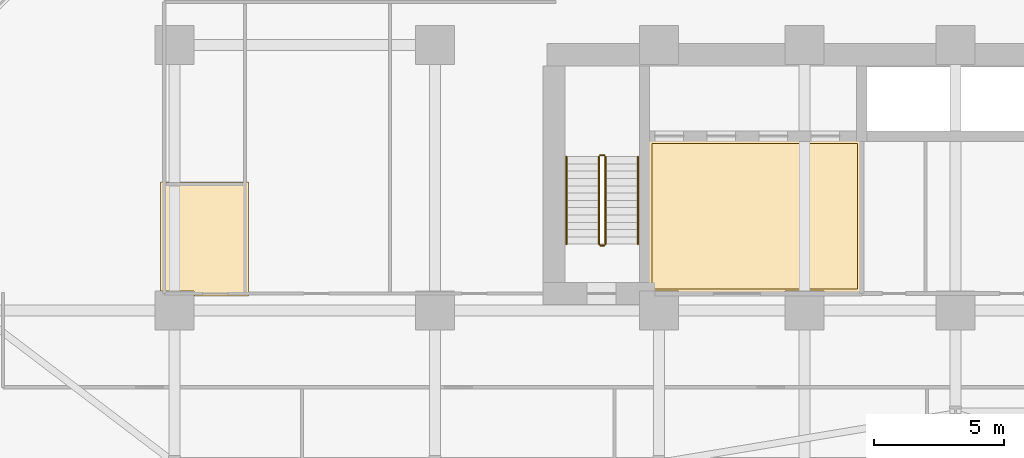
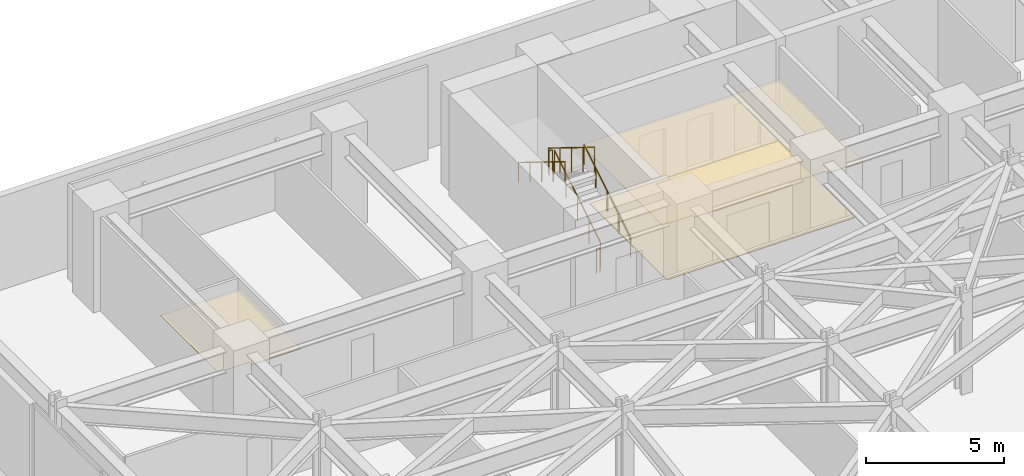
# One storey, part 29 of 30: 6 railings, 3 coverings.
"""IFC4 building model written with IfcOpenShell, lengths in metres."""

import ifcopenshell
import ifcopenshell.guid

model = None  # the IFC model being written
_history = None  # IfcOwnerHistory: only IFC2X3 demands one
_inside = {}  # id of a spatial element -> (the spatial element, [elements in it])
_under = {}  # id of a project, library or spatial element -> (it, [spatial elements below it])
_declared = {}  # id of a project -> (the project, [libraries it declares])
_typed = {}  # id of a type object -> (the type object, [elements of that type])
_made_of = {}  # id of a material, layer set ... -> (it, [elements and type objects made of it])


def new_model(schema):
    """Start an empty IFC model of exactly this schema.

    Asked for "IFC4X3", IfcOpenShell would pick the latest addendum, in which some entities
    have other attributes; the version numbers below select the first issue.
    IFC2X3 requires an IfcOwnerHistory on every rooted entity: one is made here for all.
    """
    global model, _history
    if schema == "IFC4X3":
        model = ifcopenshell.file(schema_version=(4, 3, 0, 0))
    else:
        model = ifcopenshell.file(schema=schema)
    _inside.clear()
    _under.clear()
    _declared.clear()
    _typed.clear()
    _made_of.clear()
    _history = None
    if model.schema == "IFC2X3":
        org = make("IfcOrganization", Name="unknown")
        user = make(
            "IfcPersonAndOrganization",
            ThePerson=make("IfcPerson", FamilyName="unknown"),
            TheOrganization=org,
        )
        app = make(
            "IfcApplication",
            ApplicationDeveloper=org,
            Version="unknown",
            ApplicationFullName="unknown",
            ApplicationIdentifier="unknown",
        )
        _history = make(
            "IfcOwnerHistory",
            OwningUser=user,
            OwningApplication=app,
            ChangeAction="ADDED",
            CreationDate=0,
        )
    return model


def make(cls, **values):
    """One entity of the class cls with the attributes given. An attribute that is None is left unset."""
    return model.create_entity(
        cls, **{name: value for name, value in values.items() if value is not None}
    )


def rooted(cls, **values):
    """An entity with a GlobalId (a new one), such as an element, a storey or a relation."""
    return make(cls, GlobalId=ifcopenshell.guid.new(), OwnerHistory=_history, **values)


def si_unit(unit_type, name, prefix=None):
    """IfcSIUnit, for example si_unit("LENGTHUNIT", "METRE", prefix="MILLI")."""
    return make("IfcSIUnit", UnitType=unit_type, Prefix=prefix, Name=name)


def assignment(units):
    """IfcUnitAssignment: the units of a project."""
    return None if units is None else make("IfcUnitAssignment", Units=units)


def point(xyz):
    """IfcCartesianPoint."""
    return None if xyz is None else make("IfcCartesianPoint", Coordinates=xyz)


def direction(xyz):
    """IfcDirection."""
    return None if xyz is None else make("IfcDirection", DirectionRatios=xyz)


def frame(location, z_axis=None, x_axis=None):
    """IfcAxis2Placement3D, a coordinate frame: its origin and axes. An axis left out is left unset."""
    return make(
        "IfcAxis2Placement3D",
        Location=point(location),
        Axis=direction(z_axis),
        RefDirection=direction(x_axis),
    )


def frame_2d(location, x_axis=None):
    """IfcAxis2Placement2D, a coordinate frame in the plane: its origin and x axis."""
    return make(
        "IfcAxis2Placement2D", Location=point(location), RefDirection=direction(x_axis)
    )


def origin():
    """The frame at (0, 0, 0) with its axes left unset."""
    return frame((0.0, 0.0, 0.0))


def origin_2d():
    """The frame at (0, 0) in the plane with its x axis left unset."""
    return frame_2d((0.0, 0.0))


def place(relative_to, where):
    """IfcLocalPlacement: puts the frame where relative to a parent placement (None: the world)."""
    return make(
        "IfcLocalPlacement", PlacementRelTo=relative_to, RelativePlacement=where
    )


def context(
    kind, dimensions, precision=None, world=None, true_north=None, identifier=None
):
    """IfcGeometricRepresentationContext, for example the 3D "Model" context."""
    return make(
        "IfcGeometricRepresentationContext",
        ContextIdentifier=identifier,
        ContextType=kind,
        CoordinateSpaceDimension=dimensions,
        Precision=precision,
        WorldCoordinateSystem=world,
        TrueNorth=true_north,
    )


def subcontext(parent, identifier, kind, view, scale=None):
    """IfcGeometricRepresentationSubContext, for example "Body" below "Model"."""
    return make(
        "IfcGeometricRepresentationSubContext",
        ContextIdentifier=identifier,
        ContextType=kind,
        ParentContext=parent,
        TargetScale=scale,
        TargetView=view,
    )


def project(units=None, contexts=None):
    """IfcProject with its units and contexts."""
    return rooted(
        "IfcProject",
        Name="project",
        RepresentationContexts=contexts,
        UnitsInContext=assignment(units),
    )


def spatial(cls, under=None, at=None, **own):
    """A site, building, storey or space (cls), placed at a placement, below another one or the project."""
    s = rooted(cls, ObjectPlacement=at, **own)
    if under is not None:
        _under.setdefault(under.id(), (under, []))[1].append(s)
    return s


def polyline(points):
    """IfcPolyline through the points."""
    return make("IfcPolyline", Points=[point(p) for p in points])


def profile(cls, at=None, kind="AREA", **sizes):
    """A parametric profile (cls). Its sizes go by their IFC names, for example OverallWidth=200.0."""
    return make(cls, ProfileType=kind, Position=at, **sizes)


def circle(**sizes):
    """IfcCircleProfileDef."""
    return profile("IfcCircleProfileDef", **sizes)


def outline(outer, holes=None, kind="AREA"):
    """IfcArbitraryClosedProfileDef: a profile drawn as a closed curve; with holes, ...WithVoids."""
    if holes is None:
        return make("IfcArbitraryClosedProfileDef", ProfileType=kind, OuterCurve=outer)
    return make(
        "IfcArbitraryProfileDefWithVoids",
        ProfileType=kind,
        OuterCurve=outer,
        InnerCurves=holes,
    )


def extrude(swept, where, along, depth):
    """IfcExtrudedAreaSolid: the profile swept, set in the frame where, extruded along a direction by depth."""
    return make(
        "IfcExtrudedAreaSolid",
        SweptArea=swept,
        Position=where,
        ExtrudedDirection=direction(along),
        Depth=depth,
    )


def shape(context_of_items, identifier, shape_type, items):
    """IfcShapeRepresentation: the items that make up one representation, for example the "Body"."""
    return make(
        "IfcShapeRepresentation",
        ContextOfItems=context_of_items,
        RepresentationIdentifier=identifier,
        RepresentationType=shape_type,
        Items=items,
    )


def material(Name=None, Category=None):
    """IfcMaterial."""
    return make("IfcMaterial", Name=Name, Category=Category)


def layer(
    of_material, thickness, ventilated=None, Name=None, Category=None, Priority=None
):
    """IfcMaterialLayer: one layer of a wall or slab, of a material (None: an air gap)."""
    return make(
        "IfcMaterialLayer",
        Material=of_material,
        LayerThickness=thickness,
        IsVentilated=ventilated,
        Name=Name,
        Category=Category,
        Priority=Priority,
    )


def layer_set(layers, Name=None):
    """IfcMaterialLayerSet."""
    return make("IfcMaterialLayerSet", MaterialLayers=layers, LayerSetName=Name)


def made_of(thing, what):
    """Note that an element or type object is made of a material, layer set ...; save() writes the relation."""
    if what is not None:
        _made_of.setdefault(what.id(), (what, []))[1].append(thing)
    return thing


def type_object(cls, material=None, **own):
    """A type object (cls), such as IfcWallType, which elements share."""
    return made_of(rooted(cls, **own), material)


def element(
    cls,
    number,
    at=None,
    inside=None,
    cuts=None,
    type_object=None,
    material=None,
    context=None,
    identifier="Body",
    shape_type=None,
    held_by="IfcProductDefinitionShape",
    body=None,
    shapes=None,
    **own,
):
    """One element of the class cls, such as IfcWall. Its Tag is "e" and its number.

    at: its placement. inside: the storey or other place that contains it. cuts: it is an
    opening in that element (IfcRelVoidsElement). A single representation is given by context,
    identifier, shape_type and body (its items); several are given by shapes. held_by: the class
    of the entity that holds the representations. save() writes the other relations.
    """
    e = rooted(cls, Tag="e%d" % number, ObjectPlacement=at, **own)
    if body is not None:
        shapes = [shape(context, identifier, shape_type, body)]
    if shapes is not None:
        e.Representation = make(held_by, Representations=shapes)
    if inside is not None:
        _inside.setdefault(inside.id(), (inside, []))[1].append(e)
    if cuts is not None:
        rooted(
            "IfcRelVoidsElement", RelatingBuildingElement=cuts, RelatedOpeningElement=e
        )
    if type_object is not None:
        _typed.setdefault(type_object.id(), (type_object, []))[1].append(e)
    return made_of(e, material)


def aggregate(whole, parts):
    """IfcRelAggregates: a whole, such as a stair, and the parts it consists of."""
    return rooted("IfcRelAggregates", RelatingObject=whole, RelatedObjects=parts)


def save(model, path):
    """Write the relations noted so far, then the file.

    IfcRelAggregates (storeys below a building ...), IfcRelContainedInSpatialStructure (elements
    in a storey), IfcRelDefinesByType, IfcRelAssociatesMaterial and IfcRelDeclares: one each for
    every whole, place, type object, material and project.
    """
    for whole, parts in _under.values():
        aggregate(whole, parts)
    for where, things in _inside.values():
        rooted(
            "IfcRelContainedInSpatialStructure",
            RelatedElements=things,
            RelatingStructure=where,
        )
    for kind, things in _typed.values():
        rooted("IfcRelDefinesByType", RelatedObjects=things, RelatingType=kind)
    for what, things in _made_of.values():
        rooted("IfcRelAssociatesMaterial", RelatedObjects=things, RelatingMaterial=what)
    for by, libraries in _declared.values():
        rooted("IfcRelDeclares", RelatingContext=by, RelatedDefinitions=libraries)
    model.write(path)


model = new_model("IFC4")

# Units and contexts
model_context = context("Model", 3, precision=1e-05, world=origin(), true_north=direction((0.0, 1.0)))
body_context = subcontext(model_context, "Body", "Model", "MODEL_VIEW")
ifc_project = project(units=[si_unit("LENGTHUNIT", "METRE"), si_unit("AREAUNIT", "SQUARE_METRE"), si_unit("VOLUMEUNIT", "CUBIC_METRE"), si_unit("PLANEANGLEUNIT", "RADIAN"), si_unit("MASSUNIT", "GRAM", prefix="KILO")], contexts=[model_context])

# Site, building, storey
site_placement = place(None, origin())
site = spatial("IfcSite", under=ifc_project, at=site_placement, CompositionType="ELEMENT")
building_placement = place(site_placement, origin())
building = spatial("IfcBuilding", under=site, at=building_placement, Name="Kravanh Interchange Tower", CompositionType="ELEMENT")
storey_placement = place(building_placement, frame((0.0, 0.0, 19.800048828125)))
storey = spatial("IfcBuildingStorey", under=building, at=storey_placement, Name="L04", CompositionType="ELEMENT", Elevation=19.800048828125)

# Coverings
ifc_material_1 = material(Name="Cementitious Terrazzo Tile")
ifc_layer_1 = layer(ifc_material_1, 0.030029296875)
ifc_layer_set_1 = layer_set([ifc_layer_1], Name="Honed Terrazzo Lobby Flooring 30mm")
covering_type_1 = type_object("IfcCoveringType", Name="Honed Terrazzo Lobby Flooring 30mm", PredefinedType="FLOORING", material=ifc_layer_set_1)
covering_1_placement = place(storey_placement, origin())
element("IfcCovering", 1, at=covering_1_placement, inside=storey, type_object=covering_type_1, Name="L04 Low-Rise Lift Lobby Floor Finish", PredefinedType="FLOORING", context=body_context, shape_type="SweptSolid", body=[
    extrude(outline(polyline([(26.929931640625, 43.77001953125), (34.840087890625, 43.77001953125), (34.840087890625, 38.179931640625), (26.929931640625, 38.179931640625), (26.929931640625, 43.77001953125)])), origin(), (0.0, 0.0, 1.0), 0.030029296875),
])
ifc_material_2 = material(Name="Acoustic Mineral Fibre Tile on Aluminium Grid", Category="aluminium")
ifc_layer_2 = layer(ifc_material_2, 0.02490234375)
ifc_layer_set_2 = layer_set([ifc_layer_2], Name="Perforated Acoustic Mineral Ceiling 25mm")
covering_type_2 = type_object("IfcCoveringType", Name="Perforated Acoustic Mineral Ceiling 25mm", PredefinedType="CEILING", material=ifc_layer_set_2)
covering_2_placement = place(storey_placement, frame((0.0, 0.0, 2.550048828125)))
element("IfcCovering", 2, at=covering_2_placement, inside=storey, type_object=covering_type_2, Name="L04 Low-Rise Lift Lobby Suspended Ceiling", PredefinedType="CEILING", context=body_context, shape_type="SweptSolid", body=[
    extrude(outline(polyline([(35.06005859375, 37.9599609375), (33.550048828125, 37.9599609375), (33.550048828125, 38.10009765625), (32.050048828125, 38.10009765625), (32.050048828125, 37.9599609375), (27.949951171875, 37.9599609375), (27.949951171875, 38.10009765625), (26.7099609375, 38.10009765625), (26.7099609375, 43.989990234375), (35.06005859375, 43.989990234375), (35.06005859375, 37.9599609375)])), origin(), (0.0, 0.0, 1.0), 0.02490234375),
])
covering_3_placement = place(storey_placement, frame((0.0, 0.0, 2.550048828125)))
element("IfcCovering", 3, at=covering_3_placement, inside=storey, type_object=covering_type_2, Name="L04 Accessible WC Suspended Ceiling", PredefinedType="CEILING", context=body_context, shape_type="SweptSolid", body=[
    extrude(outline(polyline([(8.06005859375, 42.280029296875), (11.43994140625, 42.280029296875), (11.43994140625, 37.909912109375), (9.35009765625, 37.909912109375), (9.35009765625, 38.10009765625), (8.06005859375, 38.10009765625), (8.06005859375, 42.280029296875)])), origin(), (0.0, 0.0, 1.0), 0.02490234375),
])

# Railings
ifc_material_3 = material(Name="Structural Steel S355", Category="steel")
ifc_layer_3 = layer(ifc_material_3, 0.050048828125)
ifc_layer_set_3 = layer_set([ifc_layer_3], Name="Stair Well Guardrail Structural Steel S355 1100mm")
railing_type_1 = type_object("IfcRailingType", Name="Stair Well Guardrail Structural Steel S355 1100mm", PredefinedType="GUARDRAIL", material=ifc_layer_set_3)
railing_1_placement = place(storey_placement, frame((25.14990234375, 39.89990234375, 0.173095703125)))
element("IfcRailing", 4, at=railing_1_placement, inside=storey, type_object=railing_type_1, Name="L04 ST3 stair guard 1", PredefinedType="GUARDRAIL", context=body_context, shape_type="SweptSolid", body=[
    extrude(circle(Radius=0.02392578125, at=origin_2d()), frame((0.0, 0.0, 1.076171875), z_axis=(0.0, 0.850623216509, 0.525775754039), x_axis=(-1.0, 0.0, 0.0)), (0.0, 0.0, 1.0), 3.9501953125),
    extrude(circle(Radius=0.02099609375, at=origin_2d()), origin(), (0.0, 0.0, 1.0), 1.052001953125),
    extrude(circle(Radius=0.02099609375, at=origin_2d()), frame((0.0, 0.840087890625, 0.519287109375)), (0.0, 0.0, 1.0), 1.052001953125),
    extrude(circle(Radius=0.02099609375, at=origin_2d()), frame((0.0, 1.68017578125, 1.03857421875)), (0.0, 0.0, 1.0), 1.052001953125),
    extrude(circle(Radius=0.02099609375, at=origin_2d()), frame((0.0, 2.52001953125, 1.5576171875)), (0.0, 0.0, 1.0), 1.052001953125),
    extrude(circle(Radius=0.02099609375, at=origin_2d()), frame((0.0, 3.360107421875, 2.076904296875)), (0.0, 0.0, 1.0), 1.052001953125),
])
railing_2_placement = place(storey_placement, frame((25.10009765625, 43.31005859375, 2.25)))
element("IfcRailing", 5, at=railing_2_placement, inside=storey, type_object=railing_type_1, Name="L04 ST3 stair guard 2", PredefinedType="GUARDRAIL", context=body_context, shape_type="SweptSolid", body=[
    extrude(circle(Radius=0.02392578125, at=origin_2d()), frame((0.0, 0.0, 1.076171875), z_axis=(-1.0, 0.0, 0.0), x_axis=(0.0, -1.0, 0.0)), (0.0, 0.0, 1.0), 0.150146484375),
    extrude(circle(Radius=0.02099609375, at=origin_2d()), origin(), (0.0, 0.0, 1.0), 1.052001953125),
    extrude(circle(Radius=0.02099609375, at=origin_2d()), frame((-0.150146484375, 0.0, 0.0)), (0.0, 0.0, 1.0), 1.052001953125),
])
railing_3_placement = place(storey_placement, frame((24.89990234375, 43.260009765625, 2.423095703125)))
element("IfcRailing", 6, at=railing_3_placement, inside=storey, type_object=railing_type_1, Name="L04 ST3 stair guard 3", PredefinedType="GUARDRAIL", context=body_context, shape_type="SweptSolid", body=[
    extrude(circle(Radius=0.02392578125, at=origin_2d()), frame((0.0, 0.0, 1.076171875), z_axis=(0.0, -0.850623216509, 0.525775754039), x_axis=(1.0, 0.0, 0.0)), (0.0, 0.0, 1.0), 3.9501953125),
    extrude(circle(Radius=0.02099609375, at=origin_2d()), origin(), (0.0, 0.0, 1.0), 1.052001953125),
    extrude(circle(Radius=0.02099609375, at=origin_2d()), frame((0.0, -0.840087890625, 0.519287109375)), (0.0, 0.0, 1.0), 1.052001953125),
    extrude(circle(Radius=0.02099609375, at=origin_2d()), frame((0.0, -1.68017578125, 1.03857421875)), (0.0, 0.0, 1.0), 1.052001953125),
    extrude(circle(Radius=0.02099609375, at=origin_2d()), frame((0.0, -2.52001953125, 1.5576171875)), (0.0, 0.0, 1.0), 1.052001953125),
    extrude(circle(Radius=0.02099609375, at=origin_2d()), frame((0.0, -3.360107421875, 2.076904296875)), (0.0, 0.0, 1.0), 1.052001953125),
])
railing_4_placement = place(storey_placement, frame((25.10009765625, 39.85009765625, 0.0)))
element("IfcRailing", 7, at=railing_4_placement, inside=storey, type_object=railing_type_1, Name="L04 ST3 stair guard 4", PredefinedType="GUARDRAIL", context=body_context, shape_type="SweptSolid", body=[
    extrude(circle(Radius=0.02392578125, at=origin_2d()), frame((0.0, 0.0, 1.076171875), z_axis=(-1.0, 0.0, 0.0), x_axis=(0.0, -1.0, 0.0)), (0.0, 0.0, 1.0), 0.150146484375),
    extrude(circle(Radius=0.02099609375, at=origin_2d()), origin(), (0.0, 0.0, 1.0), 1.052001953125),
    extrude(circle(Radius=0.02099609375, at=origin_2d()), frame((-0.150146484375, 0.0, 0.0)), (0.0, 0.0, 1.0), 1.052001953125),
])
ifc_material_4 = material(Name="Stainless Steel 304", Category="steel")
ifc_layer_4 = layer(ifc_material_4, 0.044921875)
ifc_layer_set_4 = layer_set([ifc_layer_4], Name="Tubular Stair Handrail Stainless 304 900mm")
railing_type_2 = type_object("IfcRailingType", Name="Tubular Stair Handrail Stainless 304 900mm", PredefinedType="HANDRAIL", material=ifc_layer_set_4)
railing_5_placement = place(storey_placement, frame((26.39990234375, 39.89990234375, 0.173095703125)))
element("IfcRailing", 8, at=railing_5_placement, inside=storey, type_object=railing_type_2, Name="L04 ST3 stair handrail 1", PredefinedType="HANDRAIL", context=body_context, shape_type="SweptSolid", body=[
    extrude(circle(Radius=0.02392578125, at=origin_2d()), frame((0.0, 0.0, 0.8759765625), z_axis=(0.0, 0.850623216509, 0.525775754039), x_axis=(-1.0, 0.0, 0.0)), (0.0, 0.0, 1.0), 3.9501953125),
    extrude(circle(Radius=0.02099609375, at=origin_2d()), origin(), (0.0, 0.0, 1.0), 0.851806640625),
    extrude(circle(Radius=0.02099609375, at=origin_2d()), frame((0.0, 0.840087890625, 0.519287109375)), (0.0, 0.0, 1.0), 0.851806640625),
    extrude(circle(Radius=0.02099609375, at=origin_2d()), frame((0.0, 1.68017578125, 1.03857421875)), (0.0, 0.0, 1.0), 0.851806640625),
    extrude(circle(Radius=0.02099609375, at=origin_2d()), frame((0.0, 2.52001953125, 1.5576171875)), (0.0, 0.0, 1.0), 0.851806640625),
    extrude(circle(Radius=0.02099609375, at=origin_2d()), frame((0.0, 3.360107421875, 2.076904296875)), (0.0, 0.0, 1.0), 0.851806640625),
])
railing_6_placement = place(storey_placement, frame((23.64990234375, 43.260009765625, 2.423095703125)))
element("IfcRailing", 9, at=railing_6_placement, inside=storey, type_object=railing_type_2, Name="L04 ST3 stair handrail 2", PredefinedType="HANDRAIL", context=body_context, shape_type="SweptSolid", body=[
    extrude(circle(Radius=0.02392578125, at=origin_2d()), frame((0.0, 0.0, 0.8759765625), z_axis=(0.0, -0.850623216509, 0.525775754039), x_axis=(1.0, 0.0, 0.0)), (0.0, 0.0, 1.0), 3.9501953125),
    extrude(circle(Radius=0.02099609375, at=origin_2d()), origin(), (0.0, 0.0, 1.0), 0.851806640625),
    extrude(circle(Radius=0.02099609375, at=origin_2d()), frame((0.0, -0.840087890625, 0.519287109375)), (0.0, 0.0, 1.0), 0.851806640625),
    extrude(circle(Radius=0.02099609375, at=origin_2d()), frame((0.0, -1.68017578125, 1.03857421875)), (0.0, 0.0, 1.0), 0.851806640625),
    extrude(circle(Radius=0.02099609375, at=origin_2d()), frame((0.0, -2.52001953125, 1.5576171875)), (0.0, 0.0, 1.0), 0.851806640625),
    extrude(circle(Radius=0.02099609375, at=origin_2d()), frame((0.0, -3.360107421875, 2.076904296875)), (0.0, 0.0, 1.0), 0.851806640625),
])

save(model, "model.ifc")
